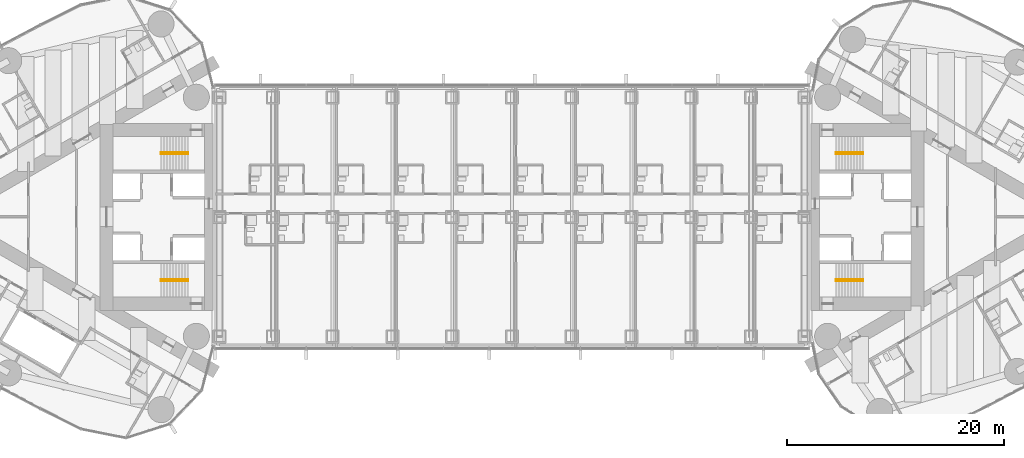
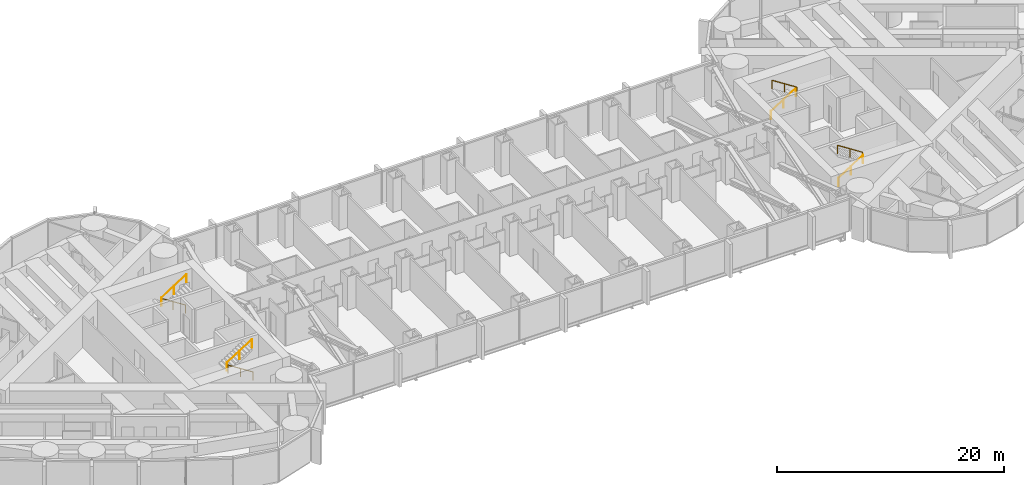
# One storey, part 22 of 23: 8 railings.
"""IFC4 building model written with IfcOpenShell, lengths in metres."""

from ifc_helpers import new_model, si_unit, direction, frame, origin, origin_2d, place, context, subcontext, project, spatial, circle, extrude, material, type_object, element, save


model = new_model("IFC4")

# Units and contexts
model_context = context("Model", 3, precision=1e-05, world=origin(), true_north=direction((0.0, 1.0)))
body_context = subcontext(model_context, "Body", "Model", "MODEL_VIEW")
ifc_project = project(units=[si_unit("LENGTHUNIT", "METRE"), si_unit("AREAUNIT", "SQUARE_METRE"), si_unit("VOLUMEUNIT", "CUBIC_METRE"), si_unit("PLANEANGLEUNIT", "RADIAN"), si_unit("MASSUNIT", "GRAM", prefix="KILO")], contexts=[model_context])

# Site, building, storey
site_placement = place(None, origin())
site = spatial("IfcSite", under=ifc_project, at=site_placement, CompositionType="ELEMENT")
building_placement = place(site_placement, origin())
building = spatial("IfcBuilding", under=site, at=building_placement, Name="Lancet Gate Hotel", CompositionType="ELEMENT")
storey_placement = place(building_placement, frame((0.0, 0.0, 215.300048828125)))
storey = spatial("IfcBuildingStorey", under=building, at=storey_placement, Name="L57", CompositionType="ELEMENT", Elevation=215.300048828125)

# Railings
ifc_material = material(Name="Stainless steel handrail", Category="steel")
railing_type = type_object("IfcRailingType", Name="Stair handrail 900", PredefinedType="HANDRAIL", material=ifc_material)
railing_1_placement = place(storey_placement, frame((-29.800048828125, 5.929931640625, 0.179931640625)))
element("IfcRailing", 1, at=railing_1_placement, inside=storey, type_object=railing_type, Name="ST1 handrail flight 1 L57", PredefinedType="HANDRAIL", context=body_context, shape_type="SweptSolid", body=[
    extrude(circle(Radius=0.02392578125, at=origin_2d()), frame((0.0, 0.0, 0.8759765625), z_axis=(-0.841162588446, 0.0, 0.540782303519), x_axis=(0.0, -1.0, 0.0)), (0.0, 0.0, 1.0), 2.995849609375),
    extrude(circle(Radius=0.02099609375, at=origin_2d()), origin(), (0.0, 0.0, 1.0), 0.851806640625),
    extrude(circle(Radius=0.02099609375, at=origin_2d()), frame((-1.260009765625, 0.0, 0.81005859375)), (0.0, 0.0, 1.0), 0.851806640625),
    extrude(circle(Radius=0.02099609375, at=origin_2d()), frame((-2.52001953125, 0.0, 1.6201171875)), (0.0, 0.0, 1.0), 0.851806640625),
])
railing_2_placement = place(storey_placement, frame((-32.320068359375, 5.77001953125, 1.97998046875)))
element("IfcRailing", 2, at=railing_2_placement, inside=storey, type_object=railing_type, Name="ST1 handrail flight 2 L57", PredefinedType="HANDRAIL", context=body_context, shape_type="SweptSolid", body=[
    extrude(circle(Radius=0.02392578125, at=origin_2d()), frame((0.0, 0.0, 0.8759765625), z_axis=(0.841199657755, 0.0, 0.540724639528), x_axis=(0.0, 1.0, 0.0)), (0.0, 0.0, 1.0), 2.995849609375),
    extrude(circle(Radius=0.02099609375, at=origin_2d()), origin(), (0.0, 0.0, 1.0), 0.851806640625),
    extrude(circle(Radius=0.02099609375, at=origin_2d()), frame((1.260009765625, 0.0, 0.81005859375)), (0.0, 0.0, 1.0), 0.851806640625),
    extrude(circle(Radius=0.02099609375, at=origin_2d()), frame((2.52001953125, 0.0, 1.619873046875)), (0.0, 0.0, 1.0), 0.851806640625),
])
railing_3_placement = place(storey_placement, frame((-29.800048828125, -5.929931640625, 0.179931640625)))
element("IfcRailing", 3, at=railing_3_placement, inside=storey, type_object=railing_type, Name="ST2 handrail flight 1 L57", PredefinedType="HANDRAIL", context=body_context, shape_type="SweptSolid", body=[
    extrude(circle(Radius=0.02392578125, at=origin_2d()), frame((0.0, 0.0, 0.8759765625), z_axis=(-0.841162588446, 0.0, 0.540782303519), x_axis=(0.0, -1.0, 0.0)), (0.0, 0.0, 1.0), 2.995849609375),
    extrude(circle(Radius=0.02099609375, at=origin_2d()), origin(), (0.0, 0.0, 1.0), 0.851806640625),
    extrude(circle(Radius=0.02099609375, at=origin_2d()), frame((-1.260009765625, 0.0, 0.81005859375)), (0.0, 0.0, 1.0), 0.851806640625),
    extrude(circle(Radius=0.02099609375, at=origin_2d()), frame((-2.52001953125, 0.0, 1.6201171875)), (0.0, 0.0, 1.0), 0.851806640625),
])
railing_4_placement = place(storey_placement, frame((-32.320068359375, -5.77001953125, 1.97998046875)))
element("IfcRailing", 4, at=railing_4_placement, inside=storey, type_object=railing_type, Name="ST2 handrail flight 2 L57", PredefinedType="HANDRAIL", context=body_context, shape_type="SweptSolid", body=[
    extrude(circle(Radius=0.02392578125, at=origin_2d()), frame((0.0, 0.0, 0.8759765625), z_axis=(0.841199657755, 0.0, 0.540724639528), x_axis=(0.0, 1.0, 0.0)), (0.0, 0.0, 1.0), 2.995849609375),
    extrude(circle(Radius=0.02099609375, at=origin_2d()), origin(), (0.0, 0.0, 1.0), 0.851806640625),
    extrude(circle(Radius=0.02099609375, at=origin_2d()), frame((1.260009765625, 0.0, 0.81005859375)), (0.0, 0.0, 1.0), 0.851806640625),
    extrude(circle(Radius=0.02099609375, at=origin_2d()), frame((2.52001953125, 0.0, 1.619873046875)), (0.0, 0.0, 1.0), 0.851806640625),
])
railing_5_placement = place(storey_placement, frame((29.800048828125, -5.929931640625, 0.179931640625)))
element("IfcRailing", 5, at=railing_5_placement, inside=storey, type_object=railing_type, Name="ST3 handrail flight 1 L57", PredefinedType="HANDRAIL", context=body_context, shape_type="SweptSolid", body=[
    extrude(circle(Radius=0.02392578125, at=origin_2d()), frame((0.0, 0.0, 0.8759765625), z_axis=(0.841162588446, 0.0, 0.540782303519), x_axis=(0.0, 1.0, 0.0)), (0.0, 0.0, 1.0), 2.995849609375),
    extrude(circle(Radius=0.02099609375, at=origin_2d()), origin(), (0.0, 0.0, 1.0), 0.851806640625),
    extrude(circle(Radius=0.02099609375, at=origin_2d()), frame((1.260009765625, 0.0, 0.81005859375)), (0.0, 0.0, 1.0), 0.851806640625),
    extrude(circle(Radius=0.02099609375, at=origin_2d()), frame((2.52001953125, 0.0, 1.6201171875)), (0.0, 0.0, 1.0), 0.851806640625),
])
railing_6_placement = place(storey_placement, frame((32.320068359375, -5.77001953125, 1.97998046875)))
element("IfcRailing", 6, at=railing_6_placement, inside=storey, type_object=railing_type, Name="ST3 handrail flight 2 L57", PredefinedType="HANDRAIL", context=body_context, shape_type="SweptSolid", body=[
    extrude(circle(Radius=0.02392578125, at=origin_2d()), frame((0.0, 0.0, 0.8759765625), z_axis=(-0.841199657755, 0.0, 0.540724639528), x_axis=(0.0, -1.0, 0.0)), (0.0, 0.0, 1.0), 2.995849609375),
    extrude(circle(Radius=0.02099609375, at=origin_2d()), origin(), (0.0, 0.0, 1.0), 0.851806640625),
    extrude(circle(Radius=0.02099609375, at=origin_2d()), frame((-1.260009765625, 0.0, 0.81005859375)), (0.0, 0.0, 1.0), 0.851806640625),
    extrude(circle(Radius=0.02099609375, at=origin_2d()), frame((-2.52001953125, 0.0, 1.619873046875)), (0.0, 0.0, 1.0), 0.851806640625),
])
railing_7_placement = place(storey_placement, frame((29.800048828125, 5.929931640625, 0.179931640625)))
element("IfcRailing", 7, at=railing_7_placement, inside=storey, type_object=railing_type, Name="ST4 handrail flight 1 L57", PredefinedType="HANDRAIL", context=body_context, shape_type="SweptSolid", body=[
    extrude(circle(Radius=0.02392578125, at=origin_2d()), frame((0.0, 0.0, 0.8759765625), z_axis=(0.841162588446, 0.0, 0.540782303519), x_axis=(0.0, 1.0, 0.0)), (0.0, 0.0, 1.0), 2.995849609375),
    extrude(circle(Radius=0.02099609375, at=origin_2d()), origin(), (0.0, 0.0, 1.0), 0.851806640625),
    extrude(circle(Radius=0.02099609375, at=origin_2d()), frame((1.260009765625, 0.0, 0.81005859375)), (0.0, 0.0, 1.0), 0.851806640625),
    extrude(circle(Radius=0.02099609375, at=origin_2d()), frame((2.52001953125, 0.0, 1.6201171875)), (0.0, 0.0, 1.0), 0.851806640625),
])
railing_8_placement = place(storey_placement, frame((32.320068359375, 5.77001953125, 1.97998046875)))
element("IfcRailing", 8, at=railing_8_placement, inside=storey, type_object=railing_type, Name="ST4 handrail flight 2 L57", PredefinedType="HANDRAIL", context=body_context, shape_type="SweptSolid", body=[
    extrude(circle(Radius=0.02392578125, at=origin_2d()), frame((0.0, 0.0, 0.8759765625), z_axis=(-0.841199657755, 0.0, 0.540724639528), x_axis=(0.0, -1.0, 0.0)), (0.0, 0.0, 1.0), 2.995849609375),
    extrude(circle(Radius=0.02099609375, at=origin_2d()), origin(), (0.0, 0.0, 1.0), 0.851806640625),
    extrude(circle(Radius=0.02099609375, at=origin_2d()), frame((-1.260009765625, 0.0, 0.81005859375)), (0.0, 0.0, 1.0), 0.851806640625),
    extrude(circle(Radius=0.02099609375, at=origin_2d()), frame((-2.52001953125, 0.0, 1.619873046875)), (0.0, 0.0, 1.0), 0.851806640625),
])

save(model, "model.ifc")
